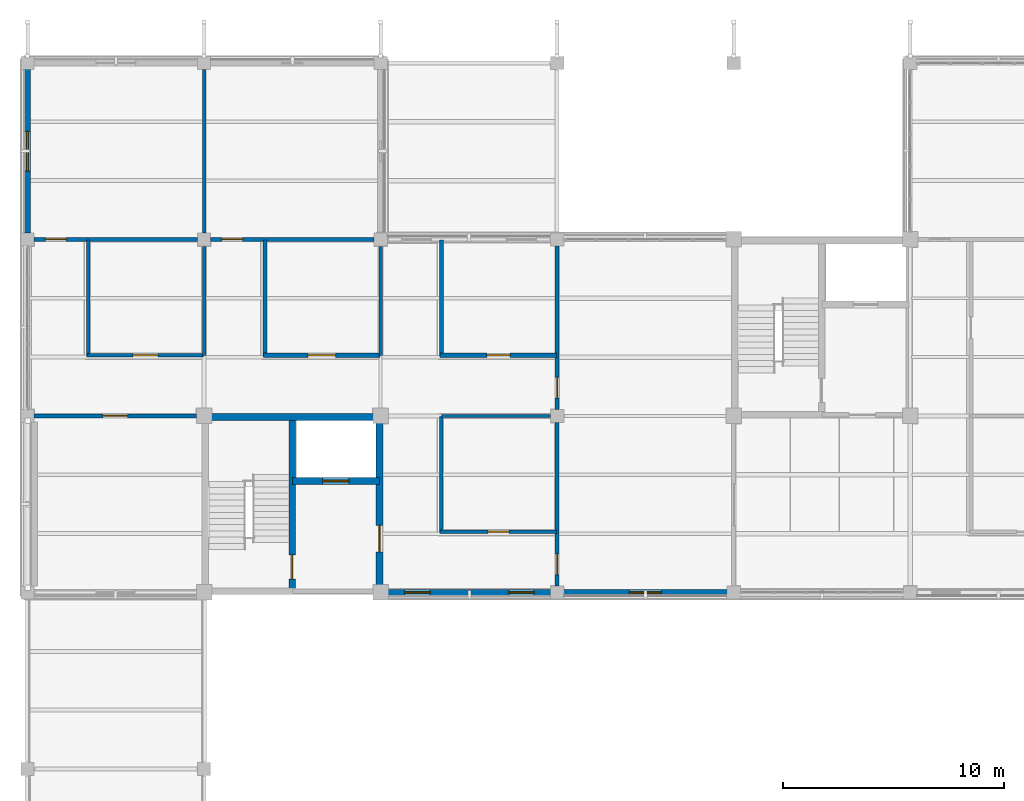
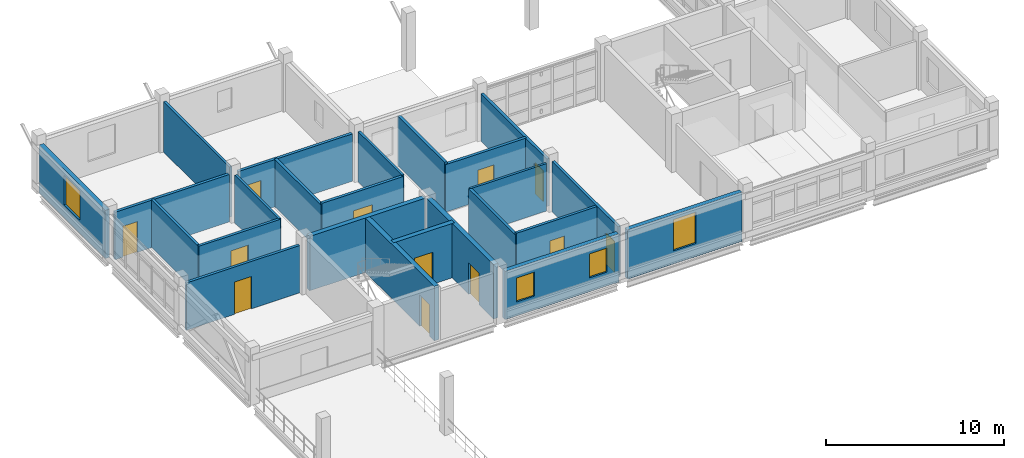
# One storey, part 24 of 35: 24 walls, 12 doors, 4 windows, 16 openings.
"""IFC4 building model written with IfcOpenShell, lengths in metres."""

from ifc_helpers import new_model, si_unit, derived_unit, direction, frame, frame_2d, origin, place, context, subcontext, project, spatial, rectangle, extrude, material, layer, layer_set, type_object, element, fill, save


model = new_model("IFC4")

# Units and contexts
model_context = context("Model", 3, precision=1e-05, world=origin(), true_north=direction((0.0, 1.0)))
body_context = subcontext(model_context, "Body", "Model", "MODEL_VIEW")
ifc_project = project(units=[si_unit("LENGTHUNIT", "METRE"), si_unit("AREAUNIT", "SQUARE_METRE"), si_unit("VOLUMEUNIT", "CUBIC_METRE"), si_unit("PLANEANGLEUNIT", "RADIAN"), si_unit("MASSUNIT", "GRAM", prefix="KILO"), derived_unit("THERMALTRANSMITTANCEUNIT", [(si_unit("MASSUNIT", "GRAM", prefix="KILO"), 1), (si_unit("TIMEUNIT", "SECOND"), -3), (si_unit("THERMODYNAMICTEMPERATUREUNIT", "KELVIN"), -1)])], contexts=[model_context])

# Site, building, storey
site_placement = place(None, origin())
site = spatial("IfcSite", under=ifc_project, at=site_placement, CompositionType="ELEMENT")
building_placement = place(site_placement, origin())
building = spatial("IfcBuilding", under=site, at=building_placement, Name="Veyamyaing Civic Hall", CompositionType="ELEMENT")
storey_placement = place(building_placement, frame((0.0, 0.0, 21.780029296875)))
storey = spatial("IfcBuildingStorey", under=building, at=storey_placement, Name="L05", CompositionType="ELEMENT", Elevation=21.780029296875)

# Wall, opening, window
ifc_material_1 = material(Name="Precast concrete C40/50", Category="concrete")
ifc_layer_1 = layer(ifc_material_1, 0.280029296875, Name="Precast concrete C40/50")
ifc_layer_set_1 = layer_set([ifc_layer_1], Name="Precast concrete C40/50")
wall_type_1 = type_object("IfcWallType", Name="WT-04", PredefinedType="SOLIDWALL", material=ifc_layer_set_1)
wall_1_placement = place(storey_placement, frame((0.0, 104.284912109375, 0.0), z_axis=(0.0, 0.0, 1.0), x_axis=(0.0, 1.0, 0.0)))
wall_1 = element("IfcWall", 1, at=wall_1_placement, inside=storey, type_object=wall_type_1, Name="Exterior facade wall WT-04 L05 W 1.14", PredefinedType="SOLIDWALL", context=body_context, shape_type="SweptSolid", body=[
    extrude(rectangle(XDim=7.43017578125, YDim=0.280029296875, at=frame_2d((3.715087890625, 0.0))), origin(), (0.0, 0.0, 1.0), 3.30908203125),
])
opening_1_placement = place(wall_1_placement, frame((2.81494140625, 0.0, 0.89990234375)))
opening_1 = element("IfcOpeningElement", 2, at=opening_1_placement, cuts=wall_1, Name="Opening W-10", PredefinedType="OPENING", context=body_context, shape_type="SweptSolid", body=[
    extrude(rectangle(XDim=1.800048828125, YDim=2.0, at=frame_2d((0.89990234375, 1.0))), frame((0.0, 0.14990234375, 0.0), z_axis=(0.0, -1.0, 0.0), x_axis=(1.0, 0.0, 0.0)), (0.0, 0.0, 1.0), 0.300048828125),
])
ifc_material_2 = material(Name="Low-E insulated glass", Category="glass")
window_type_1 = type_object("IfcWindowType", Name="W-10", PartitioningType="SINGLE_PANEL", PredefinedType="WINDOW", material=ifc_material_2)
window_1_placement = place(opening_1_placement, origin())
window_1 = element("IfcWindow", 3, at=window_1_placement, inside=storey, type_object=window_type_1, Name="Facade window W-10 L05 W 1.14", OverallHeight=2.0, OverallWidth=1.800048828125, PartitioningType="SINGLE_PANEL", PredefinedType="WINDOW", context=body_context, shape_type="SweptSolid", body=[
    extrude(rectangle(XDim=1.800048828125, YDim=2.0, at=frame_2d((0.89990234375, 1.0))), frame((0.0, 0.030029296875, 0.0), z_axis=(0.0, -1.0, 0.0), x_axis=(1.0, 0.0, 0.0)), (0.0, 0.0, 1.0), 0.06005859375),
])
fill(opening_1, window_1)

# Wall, openings, windows
wall_2_placement = place(storey_placement, frame((16.3349609375, 88.0, 0.0), z_axis=(0.0, 0.0, 1.0), x_axis=(1.0, 0.0, 0.0)))
wall_2 = element("IfcWall", 4, at=wall_2_placement, inside=storey, type_object=wall_type_1, Name="Exterior facade wall WT-04 L05 S 3.12", PredefinedType="SOLIDWALL", context=body_context, shape_type="SweptSolid", body=[
    extrude(rectangle(XDim=7.380126953125, YDim=0.280029296875, at=frame_2d((3.68994140625, 0.0))), origin(), (0.0, 0.0, 1.0), 3.30908203125),
])
opening_2_placement = place(wall_2_placement, frame((0.75341796875, 0.0, 0.949951171875)))
opening_2 = element("IfcOpeningElement", 5, at=opening_2_placement, cuts=wall_2, Name="Opening W-32", PredefinedType="OPENING", context=body_context, shape_type="SweptSolid", body=[
    extrude(rectangle(XDim=1.14990234375, YDim=1.64990234375, at=frame_2d((0.574951171875, 0.824951171875))), frame((0.0, 0.14990234375, 0.0), z_axis=(0.0, -1.0, 0.0), x_axis=(1.0, 0.0, 0.0)), (0.0, 0.0, 1.0), 0.300048828125),
])
opening_3_placement = place(wall_2_placement, frame((5.4765625, 0.0, 0.949951171875)))
opening_3 = element("IfcOpeningElement", 6, at=opening_3_placement, cuts=wall_2, Name="Opening W-32", PredefinedType="OPENING", context=body_context, shape_type="SweptSolid", body=[
    extrude(rectangle(XDim=1.14990234375, YDim=1.64990234375, at=frame_2d((0.574951171875, 0.824951171875))), frame((0.0, 0.14990234375, 0.0), z_axis=(0.0, -1.0, 0.0), x_axis=(1.0, 0.0, 0.0)), (0.0, 0.0, 1.0), 0.300048828125),
])
window_type_2 = type_object("IfcWindowType", Name="W-32", PartitioningType="SINGLE_PANEL", PredefinedType="WINDOW", material=ifc_material_2)
window_2_placement = place(opening_2_placement, origin())
window_2 = element("IfcWindow", 7, at=window_2_placement, inside=storey, type_object=window_type_2, Name="Facade window W-32 L05 S 3.12.1", OverallHeight=1.64990234375, OverallWidth=1.14990234375, PartitioningType="SINGLE_PANEL", PredefinedType="WINDOW", context=body_context, shape_type="SweptSolid", body=[
    extrude(rectangle(XDim=1.14990234375, YDim=1.64990234375, at=frame_2d((0.574951171875, 0.824951171875))), frame((0.0, 0.030029296875, 0.0), z_axis=(0.0, -1.0, 0.0), x_axis=(1.0, 0.0, 0.0)), (0.0, 0.0, 1.0), 0.06005859375),
])
fill(opening_2, window_2)
window_3_placement = place(opening_3_placement, origin())
window_3 = element("IfcWindow", 8, at=window_3_placement, inside=storey, type_object=window_type_2, Name="Facade window W-32 L05 S 3.12.2", OverallHeight=1.64990234375, OverallWidth=1.14990234375, PartitioningType="SINGLE_PANEL", PredefinedType="WINDOW", context=body_context, shape_type="SweptSolid", body=[
    extrude(rectangle(XDim=1.14990234375, YDim=1.64990234375, at=frame_2d((0.574951171875, 0.824951171875))), frame((0.0, 0.030029296875, 0.0), z_axis=(0.0, -1.0, 0.0), x_axis=(1.0, 0.0, 0.0)), (0.0, 0.0, 1.0), 0.06005859375),
])
fill(opening_3, window_3)

# Wall, opening, window
wall_3_placement = place(storey_placement, frame((24.284912109375, 88.0, 0.0), z_axis=(0.0, 0.0, 1.0), x_axis=(1.0, 0.0, 0.0)))
wall_3 = element("IfcWall", 9, at=wall_3_placement, inside=storey, type_object=wall_type_1, Name="Exterior facade wall WT-04 L05 S 4.12", PredefinedType="SOLIDWALL", context=body_context, shape_type="SweptSolid", body=[
    extrude(rectangle(XDim=7.43017578125, YDim=0.280029296875, at=frame_2d((3.715087890625, 0.0))), origin(), (0.0, 0.0, 1.0), 3.3720703125),
])
opening_4_placement = place(wall_3_placement, frame((2.989990234375, 0.0, 0.89990234375)))
opening_4 = element("IfcOpeningElement", 10, at=opening_4_placement, cuts=wall_3, Name="Opening W-23", PredefinedType="OPENING", context=body_context, shape_type="SweptSolid", body=[
    extrude(rectangle(XDim=1.449951171875, YDim=2.14990234375, at=frame_2d((0.72509765625, 1.074951171875))), frame((0.0, 0.14990234375, 0.0), z_axis=(0.0, -1.0, 0.0), x_axis=(1.0, 0.0, 0.0)), (0.0, 0.0, 1.0), 0.300048828125),
])
window_type_3 = type_object("IfcWindowType", Name="W-23", PartitioningType="SINGLE_PANEL", PredefinedType="WINDOW", material=ifc_material_2)
window_4_placement = place(opening_4_placement, origin())
window_4 = element("IfcWindow", 11, at=window_4_placement, inside=storey, type_object=window_type_3, Name="Facade window W-23 L05 S 4.12", OverallHeight=2.14990234375, OverallWidth=1.449951171875, PartitioningType="SINGLE_PANEL", PredefinedType="WINDOW", context=body_context, shape_type="SweptSolid", body=[
    extrude(rectangle(XDim=1.449951171875, YDim=2.14990234375, at=frame_2d((0.72509765625, 1.074951171875))), frame((0.0, 0.030029296875, 0.0), z_axis=(0.0, -1.0, 0.0), x_axis=(1.0, 0.0, 0.0)), (0.0, 0.0, 1.0), 0.06005859375),
])
fill(opening_4, window_4)

# Wall
ifc_material_3 = material(Name="Concrete C40/50", Category="concrete")
ifc_layer_2 = layer(ifc_material_3, 0.300048828125, Name="Concrete C40/50")
ifc_layer_set_2 = layer_set([ifc_layer_2], Name="Concrete C40/50")
wall_type_2 = type_object("IfcWallType", Name="WT-05", PredefinedType="SHEAR", material=ifc_layer_set_2)
wall_4_placement = place(storey_placement, frame((8.239990234375, 95.949951171875, 0.0), z_axis=(0.0, 0.0, 1.0), x_axis=(1.0, 0.0, 0.0)))
element("IfcWall", 12, at=wall_4_placement, inside=storey, type_object=wall_type_2, Name="Core shear wall WT-05 CORE-1 L05.N", PredefinedType="SHEAR", context=body_context, shape_type="SweptSolid", body=[
    extrude(rectangle(XDim=7.52001953125, YDim=0.300048828125, at=frame_2d((3.760009765625, 0.0))), origin(), (0.0, 0.0, 1.0), 3.73486328125),
])

# Wall, opening, door
wall_5_placement = place(storey_placement, frame((15.949951171875, 88.239990234375, 0.0), z_axis=(0.0, 0.0, 1.0), x_axis=(0.0, 1.0, 0.0)))
wall_5 = element("IfcWall", 13, at=wall_5_placement, inside=storey, type_object=wall_type_2, Name="Core shear wall WT-05 CORE-1 L05.E", PredefinedType="SHEAR", context=body_context, shape_type="SweptSolid", body=[
    extrude(rectangle(XDim=7.52001953125, YDim=0.300048828125, at=frame_2d((3.760009765625, 0.0))), origin(), (0.0, 0.0, 1.0), 3.73486328125),
])
opening_5_placement = place(wall_5_placement, frame((1.60009765625, 0.0, 0.0)))
opening_5 = element("IfcOpeningElement", 14, at=opening_5_placement, cuts=wall_5, Name="Opening D-04", PredefinedType="OPENING", context=body_context, shape_type="SweptSolid", body=[
    extrude(rectangle(XDim=1.199951171875, YDim=2.14990234375, at=frame_2d((0.60009765625, 1.074951171875))), frame((0.0, 0.159912109375, 0.0), z_axis=(0.0, -1.0, 0.0), x_axis=(1.0, 0.0, 0.0)), (0.0, 0.0, 1.0), 0.320068359375),
])
ifc_material_4 = material(Name="Galvanized steel S355J2", Category="steel")
door_type_1 = type_object("IfcDoorType", Name="D-04", OperationType="NOTDEFINED", PredefinedType="DOOR", material=ifc_material_4)
door_1_placement = place(opening_5_placement, frame((1.199951171875, 0.0, 0.0), z_axis=(0.0, 0.0, 1.0), x_axis=(-1.0, 0.0, 0.0)))
door_1 = element("IfcDoor", 15, at=door_1_placement, inside=storey, type_object=door_type_1, Name="Protected lobby fire door D-04 CORE-1 L05", OperationType="SINGLE_SWING_RIGHT", OverallHeight=2.14990234375, OverallWidth=1.199951171875, PredefinedType="DOOR", context=body_context, shape_type="SweptSolid", body=[
    extrude(rectangle(XDim=1.199951171875, YDim=2.14990234375, at=frame_2d((0.60009765625, 1.074951171875))), frame((0.0, 0.02490234375, 0.0), z_axis=(0.0, -1.0, 0.0), x_axis=(1.0, 0.0, 0.0)), (0.0, 0.0, 1.0), 0.050048828125),
])
fill(opening_5, door_1)

wall_6_placement = place(storey_placement, frame((12.0, 88.050048828125, 0.0), z_axis=(0.0, 0.0, 1.0), x_axis=(0.0, 1.0, 0.0)))
wall_6 = element("IfcWall", 16, at=wall_6_placement, inside=storey, type_object=wall_type_2, Name="Core shear wall WT-05 CORE-1 L05.MID", PredefinedType="SHEAR", context=body_context, shape_type="SweptSolid", body=[
    extrude(rectangle(XDim=7.89990234375, YDim=0.300048828125, at=frame_2d((3.949951171875, 0.0))), origin(), (0.0, 0.0, 1.0), 3.73486328125),
])
opening_6_placement = place(wall_6_placement, frame((0.550048828125, 0.0, 0.0)))
opening_6 = element("IfcOpeningElement", 17, at=opening_6_placement, cuts=wall_6, Name="Opening D-03", PredefinedType="OPENING", context=body_context, shape_type="SweptSolid", body=[
    extrude(rectangle(XDim=1.10009765625, YDim=2.14990234375, at=frame_2d((0.550048828125, 1.074951171875))), frame((0.0, 0.159912109375, 0.0), z_axis=(0.0, -1.0, 0.0), x_axis=(1.0, 0.0, 0.0)), (0.0, 0.0, 1.0), 0.320068359375),
])
door_type_2 = type_object("IfcDoorType", Name="D-03", OperationType="NOTDEFINED", PredefinedType="DOOR", material=ifc_material_4)
door_2_placement = place(opening_6_placement, origin())
door_2 = element("IfcDoor", 18, at=door_2_placement, inside=storey, type_object=door_type_2, Name="Exit stair fire door D-03 ST-01 L05", OperationType="SINGLE_SWING_LEFT", OverallHeight=2.14990234375, OverallWidth=1.10009765625, PredefinedType="DOOR", context=body_context, shape_type="SweptSolid", body=[
    extrude(rectangle(XDim=1.10009765625, YDim=2.14990234375, at=frame_2d((0.550048828125, 1.074951171875))), frame((0.0, 0.02490234375, 0.0), z_axis=(0.0, -1.0, 0.0), x_axis=(1.0, 0.0, 0.0)), (0.0, 0.0, 1.0), 0.050048828125),
])
fill(opening_6, door_2)

wall_7_placement = place(storey_placement, frame((12.0, 93.050048828125, 0.0), z_axis=(0.0, 0.0, 1.0), x_axis=(1.0, 0.0, 0.0)))
wall_7 = element("IfcWall", 19, at=wall_7_placement, inside=storey, type_object=wall_type_2, Name="Core shear wall WT-05 CORE-1 L05.LFT", PredefinedType="SHEAR", context=body_context, shape_type="SweptSolid", body=[
    extrude(rectangle(XDim=3.949951171875, YDim=0.300048828125, at=frame_2d((1.97509765625, 0.0))), origin(), (0.0, 0.0, 1.0), 3.73486328125),
])
opening_7_placement = place(wall_7_placement, frame((1.375, 0.0, 0.0)))
opening_7 = element("IfcOpeningElement", 20, at=opening_7_placement, cuts=wall_7, Name="Opening LD-02", PredefinedType="OPENING", context=body_context, shape_type="SweptSolid", body=[
    extrude(rectangle(XDim=1.199951171875, YDim=2.199951171875, at=frame_2d((0.60009765625, 1.10009765625))), frame((0.0, 0.159912109375, 0.0), z_axis=(0.0, -1.0, 0.0), x_axis=(1.0, 0.0, 0.0)), (0.0, 0.0, 1.0), 0.320068359375),
])
door_type_3 = type_object("IfcDoorType", Name="LD-02", OperationType="SLIDING_TO_LEFT", PredefinedType="DOOR", material=ifc_material_4)
door_3_placement = place(opening_7_placement, origin())
door_3 = element("IfcDoor", 21, at=door_3_placement, inside=storey, type_object=door_type_3, Name="Lift sliding landing door LD-02 FL-01 L05", OperationType="SLIDING_TO_LEFT", OverallHeight=2.199951171875, OverallWidth=1.199951171875, PredefinedType="DOOR", context=body_context, shape_type="SweptSolid", body=[
    extrude(rectangle(XDim=1.199951171875, YDim=2.199951171875, at=frame_2d((0.60009765625, 1.10009765625))), frame((0.0, 0.02490234375, 0.0), z_axis=(0.0, -1.0, 0.0), x_axis=(1.0, 0.0, 0.0)), (0.0, 0.0, 1.0), 0.050048828125),
])
fill(opening_7, door_3)

ifc_material_5 = material(Name="Gypsum board on acoustic steel stud", Category="steel")
ifc_layer_3 = layer(ifc_material_5, 0.175048828125, Name="Gypsum board on acoustic steel stud")
ifc_layer_set_3 = layer_set([ifc_layer_3], Name="Gypsum board on acoustic steel stud")
wall_type_3 = type_object("IfcWallType", Name="WT-07", PredefinedType="PARTITIONING", material=ifc_layer_set_3)
wall_8_placement = place(storey_placement, frame((2.699951171875, 98.75, 0.0), z_axis=(0.0, 0.0, 1.0), x_axis=(1.0, 0.0, 0.0)))
wall_8 = element("IfcWall", 22, at=wall_8_placement, inside=storey, type_object=wall_type_3, Name="Corridor gallery partition WT-07 L05.1.1", PredefinedType="PARTITIONING", context=body_context, shape_type="SweptSolid", body=[
    extrude(rectangle(XDim=5.280029296875, YDim=0.175048828125, at=frame_2d((2.64013671875, 0.0))), origin(), (0.0, 0.0, 1.0), 3.262939453125),
])
opening_8_placement = place(wall_8_placement, frame((2.080078125, 0.0, 0.0)))
opening_8 = element("IfcOpeningElement", 23, at=opening_8_placement, cuts=wall_8, Name="Opening D-26", PredefinedType="OPENING", context=body_context, shape_type="SweptSolid", body=[
    extrude(rectangle(XDim=1.1201171875, YDim=2.219970703125, at=frame_2d((0.56005859375, 1.10986328125))), frame((0.0, 0.097412109375, 0.0), z_axis=(0.0, -1.0, 0.0), x_axis=(1.0, 0.0, 0.0)), (0.0, 0.0, 1.0), 0.195068359375),
])
ifc_material_6 = material(Name="Teak-veneered acoustic timber", Category="wood")
door_type_4 = type_object("IfcDoorType", Name="D-26", OperationType="NOTDEFINED", PredefinedType="DOOR", material=ifc_material_6)
door_4_placement = place(opening_8_placement, origin())
door_4 = element("IfcDoor", 24, at=door_4_placement, inside=storey, type_object=door_type_4, Name="Gallery office door D-26 L05.1", OperationType="SINGLE_SWING_LEFT", OverallHeight=2.219970703125, OverallWidth=1.1201171875, PredefinedType="DOOR", context=body_context, shape_type="SweptSolid", body=[
    extrude(rectangle(XDim=1.1201171875, YDim=2.219970703125, at=frame_2d((0.56005859375, 1.10986328125))), frame((0.0, 0.02490234375, 0.0), z_axis=(0.0, -1.0, 0.0), x_axis=(1.0, 0.0, 0.0)), (0.0, 0.0, 1.0), 0.050048828125),
])
fill(opening_8, door_4)

# Wall
wall_9_placement = place(storey_placement, frame((2.75, 98.699951171875, 0.0), z_axis=(0.0, 0.0, 1.0), x_axis=(0.0, 1.0, 0.0)))
element("IfcWall", 25, at=wall_9_placement, inside=storey, type_object=wall_type_3, Name="Corridor gallery partition WT-07 L05.1.2", PredefinedType="PARTITIONING", context=body_context, shape_type="SweptSolid", body=[
    extrude(rectangle(XDim=5.280029296875, YDim=0.175048828125, at=frame_2d((2.64013671875, 0.0))), origin(), (0.0, 0.0, 1.0), 3.258056640625),
])

# Wall, opening, door
wall_10_placement = place(storey_placement, frame((18.699951171875, 90.75, 0.0), z_axis=(0.0, 0.0, 1.0), x_axis=(1.0, 0.0, 0.0)))
wall_10 = element("IfcWall", 26, at=wall_10_placement, inside=storey, type_object=wall_type_3, Name="Corridor gallery partition WT-07 L05.3.1", PredefinedType="PARTITIONING", context=body_context, shape_type="SweptSolid", body=[
    extrude(rectangle(XDim=5.280029296875, YDim=0.175048828125, at=frame_2d((2.64013671875, 0.0))), origin(), (0.0, 0.0, 1.0), 3.405029296875),
])
opening_9_placement = place(wall_10_placement, frame((2.169921875, 0.0, 0.0)))
opening_9 = element("IfcOpeningElement", 27, at=opening_9_placement, cuts=wall_10, Name="Opening D-30", PredefinedType="OPENING", context=body_context, shape_type="SweptSolid", body=[
    extrude(rectangle(XDim=0.93994140625, YDim=2.1201171875, at=frame_2d((0.469970703125, 1.06005859375))), frame((0.0, 0.097412109375, 0.0), z_axis=(0.0, -1.0, 0.0), x_axis=(1.0, 0.0, 0.0)), (0.0, 0.0, 1.0), 0.195068359375),
])
door_type_5 = type_object("IfcDoorType", Name="D-30", OperationType="NOTDEFINED", PredefinedType="DOOR", material=ifc_material_6)
door_5_placement = place(opening_9_placement, origin())
door_5 = element("IfcDoor", 28, at=door_5_placement, inside=storey, type_object=door_type_5, Name="Gallery office door D-30 L05.3", OperationType="SINGLE_SWING_LEFT", OverallHeight=2.1201171875, OverallWidth=0.93994140625, PredefinedType="DOOR", context=body_context, shape_type="SweptSolid", body=[
    extrude(rectangle(XDim=0.93994140625, YDim=2.1201171875, at=frame_2d((0.469970703125, 1.06005859375))), frame((0.0, 0.02490234375, 0.0), z_axis=(0.0, -1.0, 0.0), x_axis=(1.0, 0.0, 0.0)), (0.0, 0.0, 1.0), 0.050048828125),
])
fill(opening_9, door_5)

# Wall
wall_11_placement = place(storey_placement, frame((18.75, 90.699951171875, 0.0), z_axis=(0.0, 0.0, 1.0), x_axis=(0.0, 1.0, 0.0)))
element("IfcWall", 29, at=wall_11_placement, inside=storey, type_object=wall_type_3, Name="Corridor gallery partition WT-07 L05.3.2", PredefinedType="PARTITIONING", context=body_context, shape_type="SweptSolid", body=[
    extrude(rectangle(XDim=5.280029296875, YDim=0.175048828125, at=frame_2d((2.64013671875, 0.0))), origin(), (0.0, 0.0, 1.0), 3.2509765625),
])

# Wall, opening, door
wall_12_placement = place(storey_placement, frame((0.2900390625, 96.0, 0.0), z_axis=(0.0, 0.0, 1.0), x_axis=(1.0, 0.0, 0.0)))
wall_12 = element("IfcWall", 30, at=wall_12_placement, inside=storey, type_object=wall_type_3, Name="Interior partition wall WT-07 L05.1", PredefinedType="PARTITIONING", context=body_context, shape_type="SweptSolid", body=[
    extrude(rectangle(XDim=7.369873046875, YDim=0.175048828125, at=frame_2d((3.68505859375, 0.0))), origin(), (0.0, 0.0, 1.0), 3.251953125),
])
opening_10_placement = place(wall_12_placement, frame((3.125, 0.0, 0.0)))
opening_10 = element("IfcOpeningElement", 31, at=opening_10_placement, cuts=wall_12, Name="Opening D-26", PredefinedType="OPENING", context=body_context, shape_type="SweptSolid", body=[
    extrude(rectangle(XDim=1.1201171875, YDim=2.219970703125, at=frame_2d((0.56005859375, 1.10986328125))), frame((0.0, 0.097412109375, 0.0), z_axis=(0.0, -1.0, 0.0), x_axis=(1.0, 0.0, 0.0)), (0.0, 0.0, 1.0), 0.195068359375),
])
door_6_placement = place(opening_10_placement, frame((1.1201171875, 0.0, 0.0), z_axis=(0.0, 0.0, 1.0), x_axis=(-1.0, 0.0, 0.0)))
door_6 = element("IfcDoor", 32, at=door_6_placement, inside=storey, type_object=door_type_4, Name="Interior door D-26 L05.1", OperationType="SINGLE_SWING_RIGHT", OverallHeight=2.219970703125, OverallWidth=1.1201171875, PredefinedType="DOOR", context=body_context, shape_type="SweptSolid", body=[
    extrude(rectangle(XDim=1.1201171875, YDim=2.219970703125, at=frame_2d((0.56005859375, 1.10986328125))), frame((0.0, 0.02490234375, 0.0), z_axis=(0.0, -1.0, 0.0), x_axis=(1.0, 0.0, 0.0)), (0.0, 0.0, 1.0), 0.050048828125),
])
fill(opening_10, door_6)

wall_13_placement = place(storey_placement, frame((24.0, 88.2900390625, 0.0), z_axis=(0.0, 0.0, 1.0), x_axis=(0.0, 1.0, 0.0)))
wall_13 = element("IfcWall", 33, at=wall_13_placement, inside=storey, type_object=wall_type_3, Name="Interior partition wall WT-07 L05.5", PredefinedType="PARTITIONING", context=body_context, shape_type="SweptSolid", body=[
    extrude(rectangle(XDim=7.419921875, YDim=0.175048828125, at=frame_2d((3.7099609375, 0.0))), origin(), (0.0, 0.0, 1.0), 3.45703125),
])
opening_11_placement = place(wall_13_placement, frame((0.52001953125, 0.0, 0.0)))
opening_11 = element("IfcOpeningElement", 34, at=opening_11_placement, cuts=wall_13, Name="Opening D-30", PredefinedType="OPENING", context=body_context, shape_type="SweptSolid", body=[
    extrude(rectangle(XDim=0.93994140625, YDim=2.1201171875, at=frame_2d((0.469970703125, 1.06005859375))), frame((0.0, 0.097412109375, 0.0), z_axis=(0.0, -1.0, 0.0), x_axis=(1.0, 0.0, 0.0)), (0.0, 0.0, 1.0), 0.195068359375),
])
door_7_placement = place(opening_11_placement, frame((0.93994140625, 0.0, 0.0), z_axis=(0.0, 0.0, 1.0), x_axis=(-1.0, 0.0, 0.0)))
door_7 = element("IfcDoor", 35, at=door_7_placement, inside=storey, type_object=door_type_5, Name="Interior door D-30 L05.5", OperationType="SINGLE_SWING_LEFT", OverallHeight=2.1201171875, OverallWidth=0.93994140625, PredefinedType="DOOR", context=body_context, shape_type="SweptSolid", body=[
    extrude(rectangle(XDim=0.93994140625, YDim=2.1201171875, at=frame_2d((0.469970703125, 1.06005859375))), frame((0.0, 0.02490234375, 0.0), z_axis=(0.0, -1.0, 0.0), x_axis=(1.0, 0.0, 0.0)), (0.0, 0.0, 1.0), 0.050048828125),
])
fill(opening_11, door_7)

# Walls
ifc_material_7 = material(Name="Gypsum board on steel stud", Category="steel")
ifc_layer_4 = layer(ifc_material_7, 0.14990234375, Name="Gypsum board on steel stud")
ifc_layer_set_4 = layer_set([ifc_layer_4], Name="Gypsum board on steel stud")
wall_type_4 = type_object("IfcWallType", Name="WT-08", PredefinedType="PARTITIONING", material=ifc_layer_set_4)
wall_14_placement = place(storey_placement, frame((8.0, 98.75, 0.0), z_axis=(0.0, 0.0, 1.0), x_axis=(0.0, 1.0, 0.0)))
element("IfcWall", 36, at=wall_14_placement, inside=storey, type_object=wall_type_4, Name="Gallery office end partition WT-08 L05.1.2", PredefinedType="PARTITIONING", context=body_context, shape_type="SweptSolid", body=[
    extrude(rectangle(XDim=4.93994140625, YDim=0.14990234375, at=frame_2d((2.469970703125, 0.0))), origin(), (0.0, 0.0, 1.0), 3.262939453125),
])
wall_15_placement = place(storey_placement, frame((16.0, 98.75, 0.0), z_axis=(0.0, 0.0, 1.0), x_axis=(0.0, 1.0, 0.0)))
element("IfcWall", 37, at=wall_15_placement, inside=storey, type_object=wall_type_4, Name="Gallery office end partition WT-08 L05.2.2", PredefinedType="PARTITIONING", context=body_context, shape_type="SweptSolid", body=[
    extrude(rectangle(XDim=4.93994140625, YDim=0.14990234375, at=frame_2d((2.469970703125, 0.0))), origin(), (0.0, 0.0, 1.0), 3.4619140625),
])
wall_16_placement = place(storey_placement, frame((18.75, 96.0, 0.0), z_axis=(0.0, 0.0, 1.0), x_axis=(1.0, 0.0, 0.0)))
element("IfcWall", 38, at=wall_16_placement, inside=storey, type_object=wall_type_4, Name="Gallery office end partition WT-08 L05.3.1", PredefinedType="PARTITIONING", context=body_context, shape_type="SweptSolid", body=[
    extrude(rectangle(XDim=4.93994140625, YDim=0.14990234375, at=frame_2d((2.469970703125, 0.0))), origin(), (0.0, 0.0, 1.0), 3.2509765625),
])
ifc_material_8 = material(Name="Cement-board wet-area partition")
ifc_layer_5 = layer(ifc_material_8, 0.159912109375, Name="Cement-board wet-area partition")
ifc_layer_set_5 = layer_set([ifc_layer_5], Name="Cement-board wet-area partition")
wall_type_5 = type_object("IfcWallType", Name="WT-14", PredefinedType="PARTITIONING", material=ifc_layer_set_5)
wall_17_placement = place(storey_placement, frame((8.0, 104.2900390625, 0.0), z_axis=(0.0, 0.0, 1.0), x_axis=(0.0, 1.0, 0.0)))
element("IfcWall", 39, at=wall_17_placement, inside=storey, type_object=wall_type_5, Name="Interior partition wall WT-14 L05.3", PredefinedType="PARTITIONING", context=body_context, shape_type="SweptSolid", body=[
    extrude(rectangle(XDim=7.419921875, YDim=0.159912109375, at=frame_2d((3.7099609375, 0.0))), origin(), (0.0, 0.0, 1.0), 3.45703125),
])

# Wall, opening, door
ifc_material_9 = material(Name="Gypsum board on double acoustic stud")
ifc_layer_6 = layer(ifc_material_9, 0.18505859375, Name="Gypsum board on double acoustic stud")
ifc_layer_set_6 = layer_set([ifc_layer_6], Name="Gypsum board on double acoustic stud")
wall_type_6 = type_object("IfcWallType", Name="WT-19", PredefinedType="PARTITIONING", material=ifc_layer_set_6)
wall_18_placement = place(storey_placement, frame((10.699951171875, 98.75, 0.0), z_axis=(0.0, 0.0, 1.0), x_axis=(1.0, 0.0, 0.0)))
wall_18 = element("IfcWall", 40, at=wall_18_placement, inside=storey, type_object=wall_type_6, Name="Corridor gallery partition WT-19 L05.2.1", PredefinedType="PARTITIONING", context=body_context, shape_type="SweptSolid", body=[
    extrude(rectangle(XDim=5.280029296875, YDim=0.18505859375, at=frame_2d((2.64013671875, 0.0))), origin(), (0.0, 0.0, 1.0), 3.409912109375),
])
opening_12_placement = place(wall_18_placement, frame((2.014892578125, 0.0, 0.0)))
opening_12 = element("IfcOpeningElement", 41, at=opening_12_placement, cuts=wall_18, Name="Opening D-29", PredefinedType="OPENING", context=body_context, shape_type="SweptSolid", body=[
    extrude(rectangle(XDim=1.25, YDim=2.179931640625, at=frame_2d((0.625, 1.08984375))), frame((0.0, 0.1025390625, 0.0), z_axis=(0.0, -1.0, 0.0), x_axis=(1.0, 0.0, 0.0)), (0.0, 0.0, 1.0), 0.205078125),
])
door_type_6 = type_object("IfcDoorType", Name="D-29", OperationType="NOTDEFINED", PredefinedType="DOOR", material=ifc_material_6)
door_8_placement = place(opening_12_placement, origin())
door_8 = element("IfcDoor", 42, at=door_8_placement, inside=storey, type_object=door_type_6, Name="Gallery office door D-29 L05.2", OperationType="SINGLE_SWING_RIGHT", OverallHeight=2.179931640625, OverallWidth=1.25, PredefinedType="DOOR", context=body_context, shape_type="SweptSolid", body=[
    extrude(rectangle(XDim=1.25, YDim=2.179931640625, at=frame_2d((0.625, 1.08984375))), frame((0.0, 0.02490234375, 0.0), z_axis=(0.0, -1.0, 0.0), x_axis=(1.0, 0.0, 0.0)), (0.0, 0.0, 1.0), 0.050048828125),
])
fill(opening_12, door_8)

# Wall
wall_19_placement = place(storey_placement, frame((10.75, 98.699951171875, 0.0), z_axis=(0.0, 0.0, 1.0), x_axis=(0.0, 1.0, 0.0)))
element("IfcWall", 43, at=wall_19_placement, inside=storey, type_object=wall_type_6, Name="Corridor gallery partition WT-19 L05.2.2", PredefinedType="PARTITIONING", context=body_context, shape_type="SweptSolid", body=[
    extrude(rectangle(XDim=5.280029296875, YDim=0.18505859375, at=frame_2d((2.64013671875, 0.0))), origin(), (0.0, 0.0, 1.0), 3.2509765625),
])

# Wall, opening, door
wall_20_placement = place(storey_placement, frame((18.699951171875, 98.75, 0.0), z_axis=(0.0, 0.0, 1.0), x_axis=(1.0, 0.0, 0.0)))
wall_20 = element("IfcWall", 44, at=wall_20_placement, inside=storey, type_object=wall_type_6, Name="Corridor gallery partition WT-19 L05.4.1", PredefinedType="PARTITIONING", context=body_context, shape_type="SweptSolid", body=[
    extrude(rectangle(XDim=5.280029296875, YDim=0.18505859375, at=frame_2d((2.64013671875, 0.0))), origin(), (0.0, 0.0, 1.0), 3.257080078125),
])
opening_13_placement = place(wall_20_placement, frame((2.114990234375, 0.0, 0.0)))
opening_13 = element("IfcOpeningElement", 45, at=opening_13_placement, cuts=wall_20, Name="Opening D-12", PredefinedType="OPENING", context=body_context, shape_type="SweptSolid", body=[
    extrude(rectangle(XDim=1.050048828125, YDim=2.14990234375, at=frame_2d((0.52490234375, 1.074951171875))), frame((0.0, 0.1025390625, 0.0), z_axis=(0.0, -1.0, 0.0), x_axis=(1.0, 0.0, 0.0)), (0.0, 0.0, 1.0), 0.205078125),
])
door_type_7 = type_object("IfcDoorType", Name="D-12", OperationType="NOTDEFINED", PredefinedType="DOOR", material=ifc_material_6)
door_9_placement = place(opening_13_placement, origin())
door_9 = element("IfcDoor", 46, at=door_9_placement, inside=storey, type_object=door_type_7, Name="Gallery office door D-12 L05.4", OperationType="SINGLE_SWING_RIGHT", OverallHeight=2.14990234375, OverallWidth=1.050048828125, PredefinedType="DOOR", context=body_context, shape_type="SweptSolid", body=[
    extrude(rectangle(XDim=1.050048828125, YDim=2.14990234375, at=frame_2d((0.52490234375, 1.074951171875))), frame((0.0, 0.02490234375, 0.0), z_axis=(0.0, -1.0, 0.0), x_axis=(1.0, 0.0, 0.0)), (0.0, 0.0, 1.0), 0.050048828125),
])
fill(opening_13, door_9)

# Wall
wall_21_placement = place(storey_placement, frame((18.75, 98.699951171875, 0.0), z_axis=(0.0, 0.0, 1.0), x_axis=(0.0, 1.0, 0.0)))
element("IfcWall", 47, at=wall_21_placement, inside=storey, type_object=wall_type_6, Name="Corridor gallery partition WT-19 L05.4.2", PredefinedType="PARTITIONING", context=body_context, shape_type="SweptSolid", body=[
    extrude(rectangle(XDim=5.280029296875, YDim=0.18505859375, at=frame_2d((2.64013671875, 0.0))), origin(), (0.0, 0.0, 1.0), 3.4140625),
])

# Wall, opening, door
wall_22_placement = place(storey_placement, frame((0.2900390625, 104.0, 0.0), z_axis=(0.0, 0.0, 1.0), x_axis=(1.0, 0.0, 0.0)))
wall_22 = element("IfcWall", 48, at=wall_22_placement, inside=storey, type_object=wall_type_6, Name="Interior partition wall WT-19 L05.2", PredefinedType="PARTITIONING", context=body_context, shape_type="SweptSolid", body=[
    extrude(rectangle(XDim=7.419921875, YDim=0.18505859375, at=frame_2d((3.7099609375, 0.0))), origin(), (0.0, 0.0, 1.0), 3.258056640625),
])
opening_14_placement = place(wall_22_placement, frame((0.52001953125, 0.0, 0.0)))
opening_14 = element("IfcOpeningElement", 49, at=opening_14_placement, cuts=wall_22, Name="Opening D-30", PredefinedType="OPENING", context=body_context, shape_type="SweptSolid", body=[
    extrude(rectangle(XDim=0.93994140625, YDim=2.1201171875, at=frame_2d((0.469970703125, 1.06005859375))), frame((0.0, 0.1025390625, 0.0), z_axis=(0.0, -1.0, 0.0), x_axis=(1.0, 0.0, 0.0)), (0.0, 0.0, 1.0), 0.205078125),
])
door_10_placement = place(opening_14_placement, origin())
door_10 = element("IfcDoor", 50, at=door_10_placement, inside=storey, type_object=door_type_5, Name="Interior door D-30 L05.2", OperationType="SINGLE_SWING_LEFT", OverallHeight=2.1201171875, OverallWidth=0.93994140625, PredefinedType="DOOR", context=body_context, shape_type="SweptSolid", body=[
    extrude(rectangle(XDim=0.93994140625, YDim=2.1201171875, at=frame_2d((0.469970703125, 1.06005859375))), frame((0.0, 0.02490234375, 0.0), z_axis=(0.0, -1.0, 0.0), x_axis=(1.0, 0.0, 0.0)), (0.0, 0.0, 1.0), 0.050048828125),
])
fill(opening_14, door_10)

wall_23_placement = place(storey_placement, frame((8.2900390625, 104.0, 0.0), z_axis=(0.0, 0.0, 1.0), x_axis=(1.0, 0.0, 0.0)))
wall_23 = element("IfcWall", 51, at=wall_23_placement, inside=storey, type_object=wall_type_6, Name="Interior partition wall WT-19 L05.4", PredefinedType="PARTITIONING", context=body_context, shape_type="SweptSolid", body=[
    extrude(rectangle(XDim=7.419921875, YDim=0.18505859375, at=frame_2d((3.7099609375, 0.0))), origin(), (0.0, 0.0, 1.0), 3.2509765625),
])
opening_15_placement = place(wall_23_placement, frame((0.52001953125, 0.0, 0.0)))
opening_15 = element("IfcOpeningElement", 52, at=opening_15_placement, cuts=wall_23, Name="Opening D-30", PredefinedType="OPENING", context=body_context, shape_type="SweptSolid", body=[
    extrude(rectangle(XDim=0.93994140625, YDim=2.1201171875, at=frame_2d((0.469970703125, 1.06005859375))), frame((0.0, 0.1025390625, 0.0), z_axis=(0.0, -1.0, 0.0), x_axis=(1.0, 0.0, 0.0)), (0.0, 0.0, 1.0), 0.205078125),
])
door_11_placement = place(opening_15_placement, origin())
door_11 = element("IfcDoor", 53, at=door_11_placement, inside=storey, type_object=door_type_5, Name="Interior door D-30 L05.4", OperationType="SINGLE_SWING_RIGHT", OverallHeight=2.1201171875, OverallWidth=0.93994140625, PredefinedType="DOOR", context=body_context, shape_type="SweptSolid", body=[
    extrude(rectangle(XDim=0.93994140625, YDim=2.1201171875, at=frame_2d((0.469970703125, 1.06005859375))), frame((0.0, 0.02490234375, 0.0), z_axis=(0.0, -1.0, 0.0), x_axis=(1.0, 0.0, 0.0)), (0.0, 0.0, 1.0), 0.050048828125),
])
fill(opening_15, door_11)

wall_24_placement = place(storey_placement, frame((24.0, 96.2900390625, 0.0), z_axis=(0.0, 0.0, 1.0), x_axis=(0.0, 1.0, 0.0)))
wall_24 = element("IfcWall", 54, at=wall_24_placement, inside=storey, type_object=wall_type_6, Name="Interior partition wall WT-19 L05.6", PredefinedType="PARTITIONING", context=body_context, shape_type="SweptSolid", body=[
    extrude(rectangle(XDim=7.419921875, YDim=0.18505859375, at=frame_2d((3.7099609375, 0.0))), origin(), (0.0, 0.0, 1.0), 3.257080078125),
])
opening_16_placement = place(wall_24_placement, frame((0.52001953125, 0.0, 0.0)))
opening_16 = element("IfcOpeningElement", 55, at=opening_16_placement, cuts=wall_24, Name="Opening D-30", PredefinedType="OPENING", context=body_context, shape_type="SweptSolid", body=[
    extrude(rectangle(XDim=0.93994140625, YDim=2.1201171875, at=frame_2d((0.469970703125, 1.06005859375))), frame((0.0, 0.1025390625, 0.0), z_axis=(0.0, -1.0, 0.0), x_axis=(1.0, 0.0, 0.0)), (0.0, 0.0, 1.0), 0.205078125),
])
door_12_placement = place(opening_16_placement, frame((0.93994140625, 0.0, 0.0), z_axis=(0.0, 0.0, 1.0), x_axis=(-1.0, 0.0, 0.0)))
door_12 = element("IfcDoor", 56, at=door_12_placement, inside=storey, type_object=door_type_5, Name="Interior door D-30 L05.6", OperationType="SINGLE_SWING_RIGHT", OverallHeight=2.1201171875, OverallWidth=0.93994140625, PredefinedType="DOOR", context=body_context, shape_type="SweptSolid", body=[
    extrude(rectangle(XDim=0.93994140625, YDim=2.1201171875, at=frame_2d((0.469970703125, 1.06005859375))), frame((0.0, 0.02490234375, 0.0), z_axis=(0.0, -1.0, 0.0), x_axis=(1.0, 0.0, 0.0)), (0.0, 0.0, 1.0), 0.050048828125),
])
fill(opening_16, door_12)

save(model, "model.ifc")
